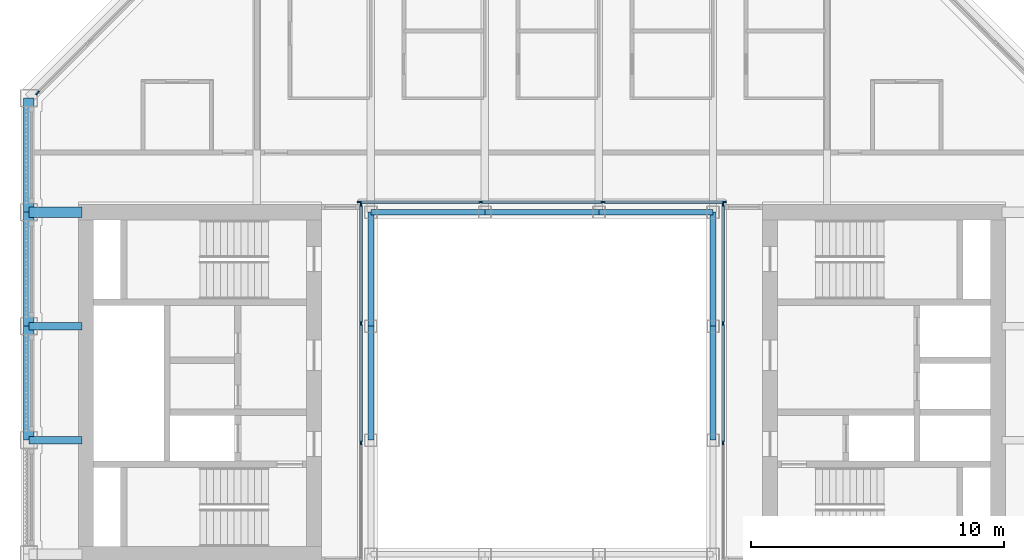
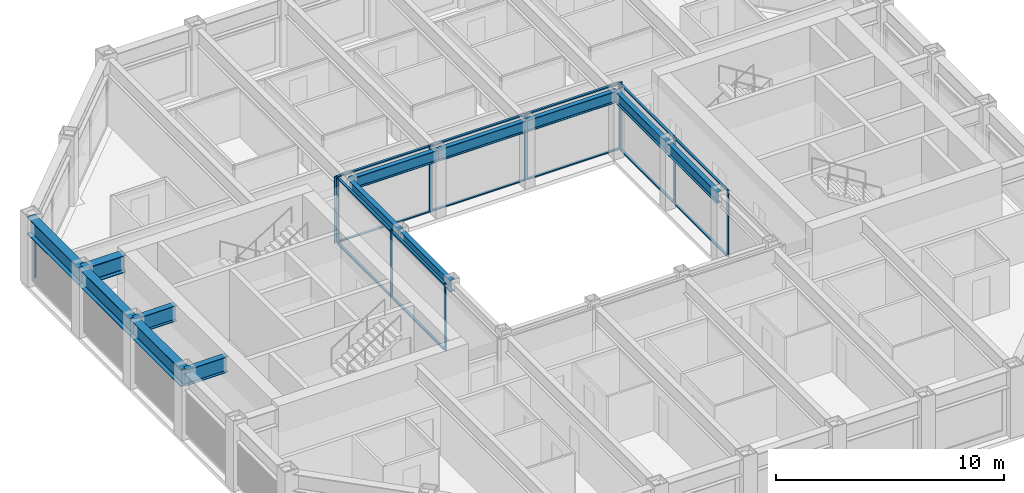
# One storey, part 4 of 18: 25 members, 13 beams, 4 elements without a shape of their own.
"""IFC4 building model written with IfcOpenShell, lengths in metres."""

from ifc_helpers import new_model, si_unit, direction, frame, origin, origin_2d, place, context, subcontext, project, spatial, rectangle, i_section, extrude, material, material_profile, profile_set, type_object, element, aggregate, save


model = new_model("IFC4")

# Units and contexts
model_context = context("Model", 3, precision=1e-05, world=origin(), true_north=direction((0.0, 1.0)))
body_context = subcontext(model_context, "Body", "Model", "MODEL_VIEW")
ifc_project = project(units=[si_unit("LENGTHUNIT", "METRE"), si_unit("AREAUNIT", "SQUARE_METRE"), si_unit("VOLUMEUNIT", "CUBIC_METRE"), si_unit("PLANEANGLEUNIT", "RADIAN"), si_unit("MASSUNIT", "GRAM", prefix="KILO")], contexts=[model_context])

# Site, building, storey
site_placement = place(None, origin())
site = spatial("IfcSite", under=ifc_project, at=site_placement, CompositionType="ELEMENT")
building_placement = place(site_placement, origin())
building = spatial("IfcBuilding", under=site, at=building_placement, Name="Msasa Ring Tower", CompositionType="ELEMENT")
storey_placement = place(building_placement, frame((0.0, 0.0, 245.800048828125)))
storey = spatial("IfcBuildingStorey", under=building, at=storey_placement, Name="L64", CompositionType="ELEMENT", Elevation=245.800048828125)

# Curtain wall, member
ifc_material_1 = material(Name="Aluminium curtain wall with clear glass", Category="aluminium")
curtain_wall_type_1 = type_object("IfcCurtainWallType", Name="CW-C CHAMFER CORNER CURTAIN WALL", PredefinedType="NOTDEFINED", material=ifc_material_1)
curtain_wall_1_placement = place(storey_placement, origin())
curtain_wall_1 = element("IfcCurtainWall", 1, at=curtain_wall_1_placement, inside=storey, type_object=curtain_wall_type_1, Name="Chamfer corner curtain wall NW L64", PredefinedType="NOTDEFINED")
ifc_material_2 = material(Name="Aluminium mullion", Category="aluminium")
ifc_material_profile_1 = material_profile(ifc_material_2, rectangle(XDim=0.06494140625, YDim=0.179931640625, at=origin_2d()), Name="AL 65x180")
ifc_profile_set_1 = profile_set([ifc_material_profile_1], Name="Aluminium mullion")
member_type_1 = type_object("IfcMemberType", Name="CW-C MULLION 65x180", PredefinedType="MULLION", material=ifc_profile_set_1)
member_1_placement = place(storey_placement, frame((-19.9052734375, 11.453369140625, 0.0), z_axis=(0.0, 0.0, 1.0), x_axis=(0.707106781187, -0.707106781187, 0.0)))
member_1 = element("IfcMember", 2, at=member_1_placement, type_object=member_type_1, Name="CW-C mullion 3", PredefinedType="MULLION", context=body_context, shape_type="SweptSolid", body=[
    extrude(rectangle(XDim=0.06494140625, YDim=0.179931640625, at=origin_2d()), origin(), (0.0, 0.0, 1.0), 2.62890625),
])
aggregate(curtain_wall_1, [member_1])

# Curtain wall, members
ifc_material_3 = material(Name="Aluminium curtain wall with clear glass", Category="aluminium")
curtain_wall_type_2 = type_object("IfcCurtainWallType", Name="CW-W LIGHT WELL CURTAIN WALL", PredefinedType="NOTDEFINED", material=ifc_material_3)
curtain_wall_2_placement = place(storey_placement, origin())
curtain_wall_2 = element("IfcCurtainWall", 3, at=curtain_wall_2_placement, inside=storey, type_object=curtain_wall_type_2, Name="Light well curtain wall N L64", PredefinedType="NOTDEFINED")
ifc_material_4 = material(Name="Aluminium mullion", Category="aluminium")
ifc_material_profile_2 = material_profile(ifc_material_4, rectangle(XDim=0.06005859375, YDim=0.159912109375, at=origin_2d()), Name="AL 60x160")
ifc_profile_set_2 = profile_set([ifc_material_profile_2], Name="Aluminium mullion")
member_type_2 = type_object("IfcMemberType", Name="CW-W MULLION 60x160", PredefinedType="MULLION", material=ifc_profile_set_2)
member_2_placement = place(storey_placement, frame((-7.199951171875, 7.14990234375, 0.0), z_axis=(0.0, 0.0, 1.0), x_axis=(0.0, 1.0, 0.0)))
member_2 = element("IfcMember", 4, at=member_2_placement, type_object=member_type_2, Name="CW-W mullion 1", PredefinedType="MULLION", context=body_context, shape_type="SweptSolid", body=[
    extrude(rectangle(XDim=0.06005859375, YDim=0.159912109375, at=origin_2d()), origin(), (0.0, 0.0, 1.0), 3.550048828125),
])
member_3_placement = place(storey_placement, frame((-2.409912109375, 7.14990234375, 0.0), z_axis=(0.0, 0.0, 1.0), x_axis=(0.0, 1.0, 0.0)))
member_3 = element("IfcMember", 5, at=member_3_placement, type_object=member_type_2, Name="CW-W mullion 2", PredefinedType="MULLION", context=body_context, shape_type="SweptSolid", body=[
    extrude(rectangle(XDim=0.06005859375, YDim=0.159912109375, at=origin_2d()), origin(), (0.0, 0.0, 1.0), 3.550048828125),
])
member_4_placement = place(storey_placement, frame((2.409912109375, 7.14990234375, 0.0), z_axis=(0.0, 0.0, 1.0), x_axis=(0.0, 1.0, 0.0)))
member_4 = element("IfcMember", 6, at=member_4_placement, type_object=member_type_2, Name="CW-W mullion 3", PredefinedType="MULLION", context=body_context, shape_type="SweptSolid", body=[
    extrude(rectangle(XDim=0.06005859375, YDim=0.159912109375, at=origin_2d()), origin(), (0.0, 0.0, 1.0), 3.550048828125),
])
member_5_placement = place(storey_placement, frame((7.199951171875, 7.14990234375, 0.0), z_axis=(0.0, 0.0, 1.0), x_axis=(0.0, 1.0, 0.0)))
member_5 = element("IfcMember", 7, at=member_5_placement, type_object=member_type_2, Name="CW-W mullion 4", PredefinedType="MULLION", context=body_context, shape_type="SweptSolid", body=[
    extrude(rectangle(XDim=0.06005859375, YDim=0.159912109375, at=origin_2d()), origin(), (0.0, 0.0, 1.0), 3.550048828125),
])

curtain_wall_3_placement = place(storey_placement, origin())
curtain_wall_3 = element("IfcCurtainWall", 8, at=curtain_wall_3_placement, inside=storey, type_object=curtain_wall_type_2, Name="Light well curtain wall E L64", PredefinedType="NOTDEFINED")
member_6_placement = place(storey_placement, frame((7.14990234375, -2.356689453125, 0.0), z_axis=(0.0, 0.0, 1.0), x_axis=(-1.0, 0.0, 0.0)))
member_6 = element("IfcMember", 9, at=member_6_placement, type_object=member_type_2, Name="CW-W mullion 2", PredefinedType="MULLION", context=body_context, shape_type="SweptSolid", body=[
    extrude(rectangle(XDim=0.06005859375, YDim=0.159912109375, at=origin_2d()), origin(), (0.0, 0.0, 1.0), 3.550048828125),
])
member_7_placement = place(storey_placement, frame((7.14990234375, 2.356689453125, 0.0), z_axis=(0.0, 0.0, 1.0), x_axis=(-1.0, 0.0, 0.0)))
member_7 = element("IfcMember", 10, at=member_7_placement, type_object=member_type_2, Name="CW-W mullion 3", PredefinedType="MULLION", context=body_context, shape_type="SweptSolid", body=[
    extrude(rectangle(XDim=0.06005859375, YDim=0.159912109375, at=origin_2d()), origin(), (0.0, 0.0, 1.0), 3.550048828125),
])
member_8_placement = place(storey_placement, frame((7.14990234375, 7.0400390625, 0.0), z_axis=(0.0, 0.0, 1.0), x_axis=(-1.0, 0.0, 0.0)))
member_8 = element("IfcMember", 11, at=member_8_placement, type_object=member_type_2, Name="CW-W mullion 4", PredefinedType="MULLION", context=body_context, shape_type="SweptSolid", body=[
    extrude(rectangle(XDim=0.06005859375, YDim=0.159912109375, at=origin_2d()), origin(), (0.0, 0.0, 1.0), 3.550048828125),
])

curtain_wall_4_placement = place(storey_placement, origin())
curtain_wall_4 = element("IfcCurtainWall", 12, at=curtain_wall_4_placement, inside=storey, type_object=curtain_wall_type_2, Name="Light well curtain wall W L64", PredefinedType="NOTDEFINED")
member_9_placement = place(storey_placement, frame((-7.14990234375, -2.356689453125, 0.0), z_axis=(0.0, 0.0, 1.0), x_axis=(-1.0, 0.0, 0.0)))
member_9 = element("IfcMember", 13, at=member_9_placement, type_object=member_type_2, Name="CW-W mullion 2", PredefinedType="MULLION", context=body_context, shape_type="SweptSolid", body=[
    extrude(rectangle(XDim=0.06005859375, YDim=0.159912109375, at=origin_2d()), origin(), (0.0, 0.0, 1.0), 3.550048828125),
])
member_10_placement = place(storey_placement, frame((-7.14990234375, 2.356689453125, 0.0), z_axis=(0.0, 0.0, 1.0), x_axis=(-1.0, 0.0, 0.0)))
member_10 = element("IfcMember", 14, at=member_10_placement, type_object=member_type_2, Name="CW-W mullion 3", PredefinedType="MULLION", context=body_context, shape_type="SweptSolid", body=[
    extrude(rectangle(XDim=0.06005859375, YDim=0.159912109375, at=origin_2d()), origin(), (0.0, 0.0, 1.0), 3.550048828125),
])
member_11_placement = place(storey_placement, frame((-7.14990234375, 7.0400390625, 0.0), z_axis=(0.0, 0.0, 1.0), x_axis=(-1.0, 0.0, 0.0)))
member_11 = element("IfcMember", 15, at=member_11_placement, type_object=member_type_2, Name="CW-W mullion 4", PredefinedType="MULLION", context=body_context, shape_type="SweptSolid", body=[
    extrude(rectangle(XDim=0.06005859375, YDim=0.159912109375, at=origin_2d()), origin(), (0.0, 0.0, 1.0), 3.550048828125),
])

# Member
ifc_material_5 = material(Name="Aluminium transom", Category="aluminium")
ifc_material_profile_3 = material_profile(ifc_material_5, rectangle(XDim=0.1201171875, YDim=0.06005859375, at=origin_2d()), Name="AL 60x120")
ifc_profile_set_3 = profile_set([ifc_material_profile_3], Name="Aluminium transom")
member_type_3 = type_object("IfcMemberType", Name="CW-W TRANSOM 60x120", PredefinedType="USERDEFINED", material=ifc_profile_set_3)
member_12_placement = place(storey_placement, frame((-7.169921875, 7.14990234375, 0.030029296875), z_axis=(1.0, 0.0, 0.0), x_axis=(0.0, 1.0, 0.0)))
member_12 = element("IfcMember", 16, at=member_12_placement, type_object=member_type_3, Name="CW-W transom 1.1", ObjectType="TRANSOM", PredefinedType="USERDEFINED", context=body_context, shape_type="SweptSolid", body=[
    extrude(rectangle(XDim=0.1201171875, YDim=0.06005859375, at=origin_2d()), origin(), (0.0, 0.0, 1.0), 4.72998046875),
])

member_13_placement = place(storey_placement, frame((-7.169921875, 7.14990234375, 3.52001953125), z_axis=(1.0, 0.0, 0.0), x_axis=(0.0, 1.0, 0.0)))
member_13 = element("IfcMember", 17, at=member_13_placement, type_object=member_type_3, Name="CW-W transom 1.2", ObjectType="TRANSOM", PredefinedType="USERDEFINED", context=body_context, shape_type="SweptSolid", body=[
    extrude(rectangle(XDim=0.1201171875, YDim=0.06005859375, at=origin_2d()), origin(), (0.0, 0.0, 1.0), 4.72998046875),
])

member_14_placement = place(storey_placement, frame((-2.3798828125, 7.14990234375, 0.030029296875), z_axis=(1.0, 0.0, 0.0), x_axis=(0.0, 1.0, 0.0)))
member_14 = element("IfcMember", 18, at=member_14_placement, type_object=member_type_3, Name="CW-W transom 2.1", ObjectType="TRANSOM", PredefinedType="USERDEFINED", context=body_context, shape_type="SweptSolid", body=[
    extrude(rectangle(XDim=0.1201171875, YDim=0.06005859375, at=origin_2d()), origin(), (0.0, 0.0, 1.0), 4.759765625),
])

member_15_placement = place(storey_placement, frame((-2.3798828125, 7.14990234375, 3.52001953125), z_axis=(1.0, 0.0, 0.0), x_axis=(0.0, 1.0, 0.0)))
member_15 = element("IfcMember", 19, at=member_15_placement, type_object=member_type_3, Name="CW-W transom 2.2", ObjectType="TRANSOM", PredefinedType="USERDEFINED", context=body_context, shape_type="SweptSolid", body=[
    extrude(rectangle(XDim=0.1201171875, YDim=0.06005859375, at=origin_2d()), origin(), (0.0, 0.0, 1.0), 4.759765625),
])

member_16_placement = place(storey_placement, frame((2.43994140625, 7.14990234375, 0.030029296875), z_axis=(1.0, 0.0, 0.0), x_axis=(0.0, 1.0, 0.0)))
member_16 = element("IfcMember", 20, at=member_16_placement, type_object=member_type_3, Name="CW-W transom 3.1", ObjectType="TRANSOM", PredefinedType="USERDEFINED", context=body_context, shape_type="SweptSolid", body=[
    extrude(rectangle(XDim=0.1201171875, YDim=0.06005859375, at=origin_2d()), origin(), (0.0, 0.0, 1.0), 4.72998046875),
])

member_17_placement = place(storey_placement, frame((2.43994140625, 7.14990234375, 3.52001953125), z_axis=(1.0, 0.0, 0.0), x_axis=(0.0, 1.0, 0.0)))
member_17 = element("IfcMember", 21, at=member_17_placement, type_object=member_type_3, Name="CW-W transom 3.2", ObjectType="TRANSOM", PredefinedType="USERDEFINED", context=body_context, shape_type="SweptSolid", body=[
    extrude(rectangle(XDim=0.1201171875, YDim=0.06005859375, at=origin_2d()), origin(), (0.0, 0.0, 1.0), 4.72998046875),
])

aggregate(curtain_wall_2, [member_2, member_3, member_4, member_5, member_12, member_13, member_14, member_15, member_16, member_17])

member_18_placement = place(storey_placement, frame((7.14990234375, -2.32666015625, 0.030029296875), z_axis=(0.0, 1.0, 0.0), x_axis=(-1.0, 0.0, 0.0)))
member_18 = element("IfcMember", 22, at=member_18_placement, type_object=member_type_3, Name="CW-W transom 2.1", ObjectType="TRANSOM", PredefinedType="USERDEFINED", context=body_context, shape_type="SweptSolid", body=[
    extrude(rectangle(XDim=0.1201171875, YDim=0.06005859375, at=origin_2d()), origin(), (0.0, 0.0, 1.0), 4.6533203125),
])

member_19_placement = place(storey_placement, frame((7.14990234375, -2.32666015625, 3.52001953125), z_axis=(0.0, 1.0, 0.0), x_axis=(-1.0, 0.0, 0.0)))
member_19 = element("IfcMember", 23, at=member_19_placement, type_object=member_type_3, Name="CW-W transom 2.2", ObjectType="TRANSOM", PredefinedType="USERDEFINED", context=body_context, shape_type="SweptSolid", body=[
    extrude(rectangle(XDim=0.1201171875, YDim=0.06005859375, at=origin_2d()), origin(), (0.0, 0.0, 1.0), 4.6533203125),
])

member_20_placement = place(storey_placement, frame((7.14990234375, 2.38671875, 0.030029296875), z_axis=(0.0, 1.0, 0.0), x_axis=(-1.0, 0.0, 0.0)))
member_20 = element("IfcMember", 24, at=member_20_placement, type_object=member_type_3, Name="CW-W transom 3.1", ObjectType="TRANSOM", PredefinedType="USERDEFINED", context=body_context, shape_type="SweptSolid", body=[
    extrude(rectangle(XDim=0.1201171875, YDim=0.06005859375, at=origin_2d()), origin(), (0.0, 0.0, 1.0), 4.623291015625),
])

member_21_placement = place(storey_placement, frame((7.14990234375, 2.38671875, 3.52001953125), z_axis=(0.0, 1.0, 0.0), x_axis=(-1.0, 0.0, 0.0)))
member_21 = element("IfcMember", 25, at=member_21_placement, type_object=member_type_3, Name="CW-W transom 3.2", ObjectType="TRANSOM", PredefinedType="USERDEFINED", context=body_context, shape_type="SweptSolid", body=[
    extrude(rectangle(XDim=0.1201171875, YDim=0.06005859375, at=origin_2d()), origin(), (0.0, 0.0, 1.0), 4.623291015625),
])

aggregate(curtain_wall_3, [member_6, member_7, member_8, member_18, member_19, member_20, member_21])

member_22_placement = place(storey_placement, frame((-7.14990234375, -2.32666015625, 0.030029296875), z_axis=(0.0, 1.0, 0.0), x_axis=(-1.0, 0.0, 0.0)))
member_22 = element("IfcMember", 26, at=member_22_placement, type_object=member_type_3, Name="CW-W transom 2.1", ObjectType="TRANSOM", PredefinedType="USERDEFINED", context=body_context, shape_type="SweptSolid", body=[
    extrude(rectangle(XDim=0.1201171875, YDim=0.06005859375, at=origin_2d()), origin(), (0.0, 0.0, 1.0), 4.6533203125),
])

member_23_placement = place(storey_placement, frame((-7.14990234375, -2.32666015625, 3.52001953125), z_axis=(0.0, 1.0, 0.0), x_axis=(-1.0, 0.0, 0.0)))
member_23 = element("IfcMember", 27, at=member_23_placement, type_object=member_type_3, Name="CW-W transom 2.2", ObjectType="TRANSOM", PredefinedType="USERDEFINED", context=body_context, shape_type="SweptSolid", body=[
    extrude(rectangle(XDim=0.1201171875, YDim=0.06005859375, at=origin_2d()), origin(), (0.0, 0.0, 1.0), 4.6533203125),
])

member_24_placement = place(storey_placement, frame((-7.14990234375, 2.38671875, 0.030029296875), z_axis=(0.0, 1.0, 0.0), x_axis=(-1.0, 0.0, 0.0)))
member_24 = element("IfcMember", 28, at=member_24_placement, type_object=member_type_3, Name="CW-W transom 3.1", ObjectType="TRANSOM", PredefinedType="USERDEFINED", context=body_context, shape_type="SweptSolid", body=[
    extrude(rectangle(XDim=0.1201171875, YDim=0.06005859375, at=origin_2d()), origin(), (0.0, 0.0, 1.0), 4.623291015625),
])

member_25_placement = place(storey_placement, frame((-7.14990234375, 2.38671875, 3.52001953125), z_axis=(0.0, 1.0, 0.0), x_axis=(-1.0, 0.0, 0.0)))
member_25 = element("IfcMember", 29, at=member_25_placement, type_object=member_type_3, Name="CW-W transom 3.2", ObjectType="TRANSOM", PredefinedType="USERDEFINED", context=body_context, shape_type="SweptSolid", body=[
    extrude(rectangle(XDim=0.1201171875, YDim=0.06005859375, at=origin_2d()), origin(), (0.0, 0.0, 1.0), 4.623291015625),
])

aggregate(curtain_wall_4, [member_9, member_10, member_11, member_22, member_23, member_24, member_25])

# Beams
ifc_material_6 = material(Name="Steel S355", Category="steel")
ifc_material_profile_4 = material_profile(ifc_material_6, i_section(OverallWidth=0.293701171875, OverallDepth=0.850830078125, WebThickness=0.01611328125, FlangeThickness=0.02685546875, FilletRadius=0.017822265625, at=origin_2d()), Name="UB 838x292x226")
ifc_profile_set_4 = profile_set([ifc_material_profile_4], Name="Steel S355")
beam_type_1 = type_object("IfcBeamType", Name="FB5 UB 838x292x226", PredefinedType="BEAM", material=ifc_profile_set_4)
for number, where, z_axis, x_axis, name in (
    (30, (-20.25, -2.25, 3.12451171875), (1.0, 0.0, 0.0), (0.0, 1.0, 0.0), "Floor beam W -2.25 under L65"),
    (31, (-20.25, 2.25, 3.12451171875), (1.0, 0.0, 0.0), (0.0, 1.0, 0.0), "Floor beam W +2.25 under L65"),
):
    element("IfcBeam", number, at=place(storey_placement, frame(where, z_axis=z_axis, x_axis=x_axis)), inside=storey, type_object=beam_type_1, Name=name, PredefinedType="BEAM", context=body_context, shape_type="SweptSolid", body=[
        extrude(i_section(OverallWidth=0.293701171875, OverallDepth=0.850830078125, WebThickness=0.01611328125, FlangeThickness=0.02685546875, FilletRadius=0.017822265625, at=origin_2d()), origin(), (0.0, 0.0, 1.0), 2.10009765625),
    ])
ifc_material_7 = material(Name="Steel S355", Category="steel")
ifc_material_profile_5 = material_profile(ifc_material_7, i_section(OverallWidth=0.42041015625, OverallDepth=0.9208984375, WebThickness=0.021484375, FlangeThickness=0.03662109375, FilletRadius=0.024169921875, at=origin_2d()), Name="UB 914x419x388")
ifc_profile_set_5 = profile_set([ifc_material_profile_5], Name="Steel S355")
beam_type_2 = type_object("IfcBeamType", Name="GB1 UB 914x419x388", PredefinedType="BEAM", material=ifc_profile_set_5)
beam_placement = place(storey_placement, frame((-18.14990234375, 6.75, 3.08935546875), z_axis=(-1.0, 0.0, 0.0), x_axis=(0.0, -1.0, 0.0)))
element("IfcBeam", 32, at=beam_placement, inside=storey, type_object=beam_type_2, Name="Girder W +6.75 under L65", PredefinedType="BEAM", context=body_context, shape_type="SweptSolid", body=[
    extrude(i_section(OverallWidth=0.42041015625, OverallDepth=0.9208984375, WebThickness=0.021484375, FlangeThickness=0.03662109375, FilletRadius=0.024169921875, at=origin_2d()), origin(), (0.0, 0.0, 1.0), 2.10009765625),
])
ifc_material_8 = material(Name="Steel S355", Category="steel")
ifc_material_profile_6 = material_profile(ifc_material_8, i_section(OverallWidth=0.230224609375, OverallDepth=0.6171875, WebThickness=0.01318359375, FlangeThickness=0.022216796875, FilletRadius=0.0126953125, at=origin_2d()), Name="UB 610x229x140")
ifc_profile_set_6 = profile_set([ifc_material_profile_6], Name="Steel S355")
beam_type_3 = type_object("IfcBeamType", Name="RB1 UB 610x229x140", PredefinedType="BEAM", material=ifc_profile_set_6)
for number, where, z_axis, x_axis, name in (
    (33, (6.75, -2.25, 3.241455078125), (0.0, 1.0, 0.0), (-1.0, 0.0, 0.0), "Inner ring beam IR+6.75-2.25 under L65"),
    (34, (6.75, 2.25, 3.241455078125), (0.0, 1.0, 0.0), (-1.0, 0.0, 0.0), "Inner ring beam IR+6.75+2.25 under L65"),
    (35, (6.75, 6.75, 3.241455078125), (-1.0, 0.0, 0.0), (0.0, -1.0, 0.0), "Inner ring beam IR+6.75+6.75 under L65"),
    (36, (2.25, 6.75, 3.241455078125), (-1.0, 0.0, 0.0), (0.0, -1.0, 0.0), "Inner ring beam IR+2.25+6.75 under L65"),
    (37, (-2.25, 6.75, 3.241455078125), (-1.0, 0.0, 0.0), (0.0, -1.0, 0.0), "Inner ring beam IR-2.25+6.75 under L65"),
    (38, (-6.75, 6.75, 3.241455078125), (0.0, -1.0, 0.0), (1.0, 0.0, 0.0), "Inner ring beam IR-6.75+6.75 under L65"),
    (39, (-6.75, 2.25, 3.241455078125), (0.0, -1.0, 0.0), (1.0, 0.0, 0.0), "Inner ring beam IR-6.75+2.25 under L65"),
):
    element("IfcBeam", number, at=place(storey_placement, frame(where, z_axis=z_axis, x_axis=x_axis)), inside=storey, type_object=beam_type_3, Name=name, PredefinedType="BEAM", context=body_context, shape_type="SweptSolid", body=[
        extrude(i_section(OverallWidth=0.230224609375, OverallDepth=0.6171875, WebThickness=0.01318359375, FlangeThickness=0.022216796875, FilletRadius=0.0126953125, at=origin_2d()), origin(), (0.0, 0.0, 1.0), 4.5),
    ])
ifc_material_9 = material(Name="Steel S355", Category="steel")
ifc_material_profile_7 = material_profile(ifc_material_9, i_section(OverallWidth=0.42041015625, OverallDepth=0.9208984375, WebThickness=0.021484375, FlangeThickness=0.03662109375, FilletRadius=0.024169921875, at=origin_2d()), Name="UB 914x419x388")
ifc_profile_set_7 = profile_set([ifc_material_profile_7], Name="Steel S355")
beam_type_4 = type_object("IfcBeamType", Name="SB1 UB 914x419x388", PredefinedType="SPANDREL", material=ifc_profile_set_7)
for number, where, z_axis, x_axis, name in (
    (40, (-20.25, 11.25, 3.08935546875), (0.0, -1.0, 0.0), (1.0, 0.0, 0.0), "Spandrel W+11.25 to W+6.75 under L65"),
    (41, (-20.25, 6.75, 3.08935546875), (0.0, -1.0, 0.0), (1.0, 0.0, 0.0), "Spandrel W+6.75 to W+2.25 under L65"),
    (42, (-20.25, 2.25, 3.08935546875), (0.0, -1.0, 0.0), (1.0, 0.0, 0.0), "Spandrel W+2.25 to W-2.25 under L65"),
):
    element("IfcBeam", number, at=place(storey_placement, frame(where, z_axis=z_axis, x_axis=x_axis)), inside=storey, type_object=beam_type_4, Name=name, PredefinedType="SPANDREL", context=body_context, shape_type="SweptSolid", body=[
        extrude(i_section(OverallWidth=0.42041015625, OverallDepth=0.9208984375, WebThickness=0.021484375, FlangeThickness=0.03662109375, FilletRadius=0.024169921875, at=origin_2d()), origin(), (0.0, 0.0, 1.0), 4.5),
    ])

save(model, "model.ifc")
